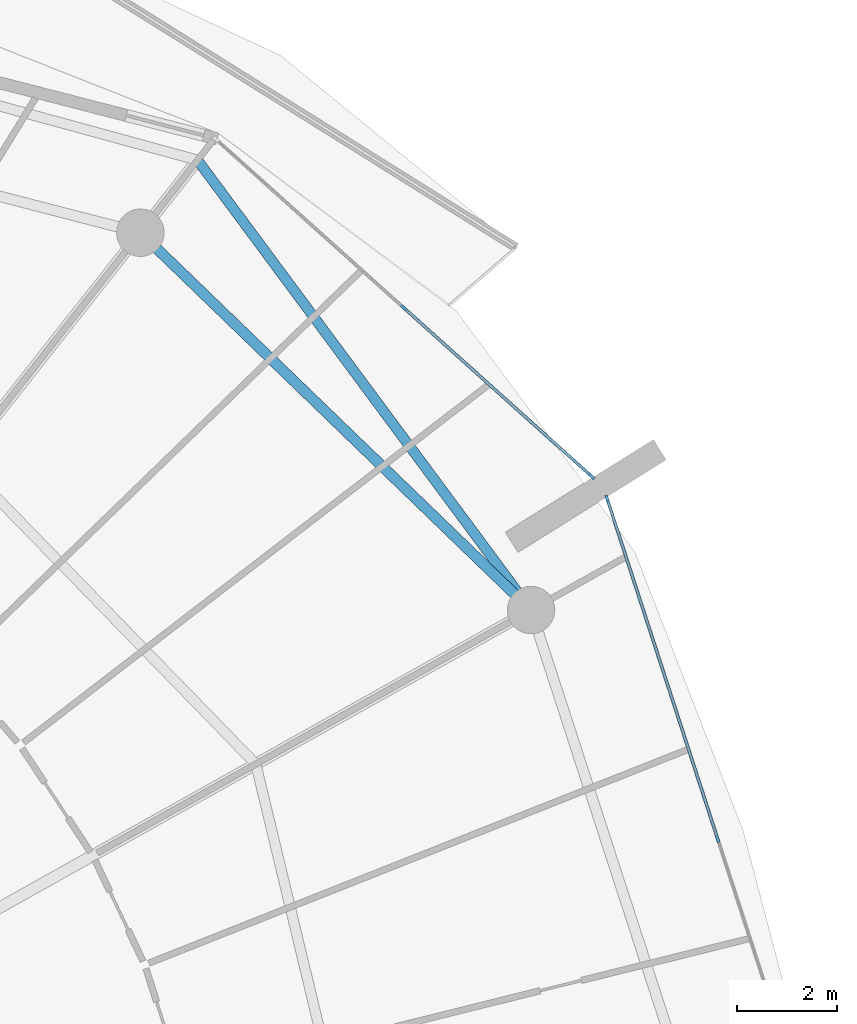
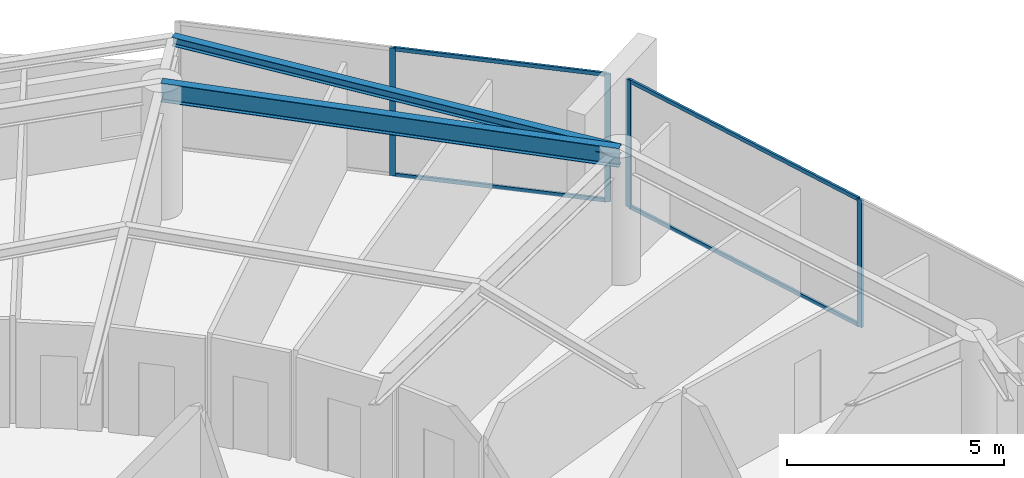
# One storey, part 14 of 29: 8 members, 2 beams, 2 elements without a shape of their own.
"""IFC4 building model written with IfcOpenShell, lengths in metres."""

import ifcopenshell
import ifcopenshell.guid

model = None  # the IFC model being written
_history = None  # IfcOwnerHistory: only IFC2X3 demands one
_inside = {}  # id of a spatial element -> (the spatial element, [elements in it])
_under = {}  # id of a project, library or spatial element -> (it, [spatial elements below it])
_declared = {}  # id of a project -> (the project, [libraries it declares])
_typed = {}  # id of a type object -> (the type object, [elements of that type])
_made_of = {}  # id of a material, layer set ... -> (it, [elements and type objects made of it])


def new_model(schema):
    """Start an empty IFC model of exactly this schema.

    Asked for "IFC4X3", IfcOpenShell would pick the latest addendum, in which some entities
    have other attributes; the version numbers below select the first issue.
    IFC2X3 requires an IfcOwnerHistory on every rooted entity: one is made here for all.
    """
    global model, _history
    if schema == "IFC4X3":
        model = ifcopenshell.file(schema_version=(4, 3, 0, 0))
    else:
        model = ifcopenshell.file(schema=schema)
    _inside.clear()
    _under.clear()
    _declared.clear()
    _typed.clear()
    _made_of.clear()
    _history = None
    if model.schema == "IFC2X3":
        org = make("IfcOrganization", Name="unknown")
        user = make(
            "IfcPersonAndOrganization",
            ThePerson=make("IfcPerson", FamilyName="unknown"),
            TheOrganization=org,
        )
        app = make(
            "IfcApplication",
            ApplicationDeveloper=org,
            Version="unknown",
            ApplicationFullName="unknown",
            ApplicationIdentifier="unknown",
        )
        _history = make(
            "IfcOwnerHistory",
            OwningUser=user,
            OwningApplication=app,
            ChangeAction="ADDED",
            CreationDate=0,
        )
    return model


def make(cls, **values):
    """One entity of the class cls with the attributes given. An attribute that is None is left unset."""
    return model.create_entity(
        cls, **{name: value for name, value in values.items() if value is not None}
    )


def rooted(cls, **values):
    """An entity with a GlobalId (a new one), such as an element, a storey or a relation."""
    return make(cls, GlobalId=ifcopenshell.guid.new(), OwnerHistory=_history, **values)


def si_unit(unit_type, name, prefix=None):
    """IfcSIUnit, for example si_unit("LENGTHUNIT", "METRE", prefix="MILLI")."""
    return make("IfcSIUnit", UnitType=unit_type, Prefix=prefix, Name=name)


def assignment(units):
    """IfcUnitAssignment: the units of a project."""
    return None if units is None else make("IfcUnitAssignment", Units=units)


def point(xyz):
    """IfcCartesianPoint."""
    return None if xyz is None else make("IfcCartesianPoint", Coordinates=xyz)


def direction(xyz):
    """IfcDirection."""
    return None if xyz is None else make("IfcDirection", DirectionRatios=xyz)


def frame(location, z_axis=None, x_axis=None):
    """IfcAxis2Placement3D, a coordinate frame: its origin and axes. An axis left out is left unset."""
    return make(
        "IfcAxis2Placement3D",
        Location=point(location),
        Axis=direction(z_axis),
        RefDirection=direction(x_axis),
    )


def frame_2d(location, x_axis=None):
    """IfcAxis2Placement2D, a coordinate frame in the plane: its origin and x axis."""
    return make(
        "IfcAxis2Placement2D", Location=point(location), RefDirection=direction(x_axis)
    )


def origin():
    """The frame at (0, 0, 0) with its axes left unset."""
    return frame((0.0, 0.0, 0.0))


def origin_2d():
    """The frame at (0, 0) in the plane with its x axis left unset."""
    return frame_2d((0.0, 0.0))


def place(relative_to, where):
    """IfcLocalPlacement: puts the frame where relative to a parent placement (None: the world)."""
    return make(
        "IfcLocalPlacement", PlacementRelTo=relative_to, RelativePlacement=where
    )


def context(
    kind, dimensions, precision=None, world=None, true_north=None, identifier=None
):
    """IfcGeometricRepresentationContext, for example the 3D "Model" context."""
    return make(
        "IfcGeometricRepresentationContext",
        ContextIdentifier=identifier,
        ContextType=kind,
        CoordinateSpaceDimension=dimensions,
        Precision=precision,
        WorldCoordinateSystem=world,
        TrueNorth=true_north,
    )


def subcontext(parent, identifier, kind, view, scale=None):
    """IfcGeometricRepresentationSubContext, for example "Body" below "Model"."""
    return make(
        "IfcGeometricRepresentationSubContext",
        ContextIdentifier=identifier,
        ContextType=kind,
        ParentContext=parent,
        TargetScale=scale,
        TargetView=view,
    )


def project(units=None, contexts=None):
    """IfcProject with its units and contexts."""
    return rooted(
        "IfcProject",
        Name="project",
        RepresentationContexts=contexts,
        UnitsInContext=assignment(units),
    )


def spatial(cls, under=None, at=None, **own):
    """A site, building, storey or space (cls), placed at a placement, below another one or the project."""
    s = rooted(cls, ObjectPlacement=at, **own)
    if under is not None:
        _under.setdefault(under.id(), (under, []))[1].append(s)
    return s


def profile(cls, at=None, kind="AREA", **sizes):
    """A parametric profile (cls). Its sizes go by their IFC names, for example OverallWidth=200.0."""
    return make(cls, ProfileType=kind, Position=at, **sizes)


def rectangle(**sizes):
    """IfcRectangleProfileDef."""
    return profile("IfcRectangleProfileDef", **sizes)


def i_section(**sizes):
    """IfcIShapeProfileDef."""
    return profile("IfcIShapeProfileDef", **sizes)


def extrude(swept, where, along, depth):
    """IfcExtrudedAreaSolid: the profile swept, set in the frame where, extruded along a direction by depth."""
    return make(
        "IfcExtrudedAreaSolid",
        SweptArea=swept,
        Position=where,
        ExtrudedDirection=direction(along),
        Depth=depth,
    )


def shape(context_of_items, identifier, shape_type, items):
    """IfcShapeRepresentation: the items that make up one representation, for example the "Body"."""
    return make(
        "IfcShapeRepresentation",
        ContextOfItems=context_of_items,
        RepresentationIdentifier=identifier,
        RepresentationType=shape_type,
        Items=items,
    )


def material(Name=None, Category=None):
    """IfcMaterial."""
    return make("IfcMaterial", Name=Name, Category=Category)


def layer(
    of_material, thickness, ventilated=None, Name=None, Category=None, Priority=None
):
    """IfcMaterialLayer: one layer of a wall or slab, of a material (None: an air gap)."""
    return make(
        "IfcMaterialLayer",
        Material=of_material,
        LayerThickness=thickness,
        IsVentilated=ventilated,
        Name=Name,
        Category=Category,
        Priority=Priority,
    )


def layer_set(layers, Name=None):
    """IfcMaterialLayerSet."""
    return make("IfcMaterialLayerSet", MaterialLayers=layers, LayerSetName=Name)


def material_profile(
    of_material, cross_section, Name=None, Category=None, Priority=None
):
    """IfcMaterialProfile: a cross section and its material."""
    return make(
        "IfcMaterialProfile",
        Name=Name,
        Material=of_material,
        Profile=cross_section,
        Priority=Priority,
        Category=Category,
    )


def profile_set(profiles, Name=None, composite=None):
    """IfcMaterialProfileSet."""
    return make(
        "IfcMaterialProfileSet",
        Name=Name,
        MaterialProfiles=profiles,
        CompositeProfile=composite,
    )


def made_of(thing, what):
    """Note that an element or type object is made of a material, layer set ...; save() writes the relation."""
    if what is not None:
        _made_of.setdefault(what.id(), (what, []))[1].append(thing)
    return thing


def type_object(cls, material=None, **own):
    """A type object (cls), such as IfcWallType, which elements share."""
    return made_of(rooted(cls, **own), material)


def element(
    cls,
    number,
    at=None,
    inside=None,
    cuts=None,
    type_object=None,
    material=None,
    context=None,
    identifier="Body",
    shape_type=None,
    held_by="IfcProductDefinitionShape",
    body=None,
    shapes=None,
    **own,
):
    """One element of the class cls, such as IfcWall. Its Tag is "e" and its number.

    at: its placement. inside: the storey or other place that contains it. cuts: it is an
    opening in that element (IfcRelVoidsElement). A single representation is given by context,
    identifier, shape_type and body (its items); several are given by shapes. held_by: the class
    of the entity that holds the representations. save() writes the other relations.
    """
    e = rooted(cls, Tag="e%d" % number, ObjectPlacement=at, **own)
    if body is not None:
        shapes = [shape(context, identifier, shape_type, body)]
    if shapes is not None:
        e.Representation = make(held_by, Representations=shapes)
    if inside is not None:
        _inside.setdefault(inside.id(), (inside, []))[1].append(e)
    if cuts is not None:
        rooted(
            "IfcRelVoidsElement", RelatingBuildingElement=cuts, RelatedOpeningElement=e
        )
    if type_object is not None:
        _typed.setdefault(type_object.id(), (type_object, []))[1].append(e)
    return made_of(e, material)


def aggregate(whole, parts):
    """IfcRelAggregates: a whole, such as a stair, and the parts it consists of."""
    return rooted("IfcRelAggregates", RelatingObject=whole, RelatedObjects=parts)


def save(model, path):
    """Write the relations noted so far, then the file.

    IfcRelAggregates (storeys below a building ...), IfcRelContainedInSpatialStructure (elements
    in a storey), IfcRelDefinesByType, IfcRelAssociatesMaterial and IfcRelDeclares: one each for
    every whole, place, type object, material and project.
    """
    for whole, parts in _under.values():
        aggregate(whole, parts)
    for where, things in _inside.values():
        rooted(
            "IfcRelContainedInSpatialStructure",
            RelatedElements=things,
            RelatingStructure=where,
        )
    for kind, things in _typed.values():
        rooted("IfcRelDefinesByType", RelatedObjects=things, RelatingType=kind)
    for what, things in _made_of.values():
        rooted("IfcRelAssociatesMaterial", RelatedObjects=things, RelatingMaterial=what)
    for by, libraries in _declared.values():
        rooted("IfcRelDeclares", RelatingContext=by, RelatedDefinitions=libraries)
    model.write(path)


model = new_model("IFC4")

# Units and contexts
model_context = context("Model", 3, precision=1e-05, world=origin(), true_north=direction((0.0, 1.0)))
body_context = subcontext(model_context, "Body", "Model", "MODEL_VIEW")
ifc_project = project(units=[si_unit("LENGTHUNIT", "METRE"), si_unit("AREAUNIT", "SQUARE_METRE"), si_unit("VOLUMEUNIT", "CUBIC_METRE"), si_unit("PLANEANGLEUNIT", "RADIAN"), si_unit("MASSUNIT", "GRAM", prefix="KILO")], contexts=[model_context])

# Site, building, storey
site_placement = place(None, origin())
site = spatial("IfcSite", under=ifc_project, at=site_placement, CompositionType="ELEMENT")
building_placement = place(site_placement, origin())
building = spatial("IfcBuilding", under=site, at=building_placement, Name="Kazma Halo Residences", CompositionType="ELEMENT")
storey_placement = place(building_placement, frame((0.0, 0.0, 252.10009765625)))
storey = spatial("IfcBuildingStorey", under=building, at=storey_placement, Name="L63", CompositionType="ELEMENT", Elevation=252.10009765625)

# Beams
ifc_material_1 = material(Name="Steel S355", Category="steel")
ifc_material_profile_1 = material_profile(ifc_material_1, i_section(OverallWidth=0.201904296875, OverallDepth=0.2470703125, WebThickness=0.00732421875, FlangeThickness=0.010986328125, FilletRadius=0.011962890625, at=origin_2d()), Name="W250x49.1")
ifc_profile_set_1 = profile_set([ifc_material_profile_1], Name="Steel S355")
beam_type_1 = type_object("IfcBeamType", Name="BM-BAL-CANT", PredefinedType="BEAM", material=ifc_profile_set_1)
beam_1_placement = place(storey_placement, frame((72.67041015625, 55.81591796875, 3.46630859375), z_axis=(-0.595556062515, 0.803313747176, 0.0), x_axis=(-0.803313747176, -0.595556062515, 0.0)))
element("IfcBeam", 1, at=beam_1_placement, inside=storey, type_object=beam_type_1, Name="L63 wave-balcony lead tie beam 01", PredefinedType="BEAM", context=body_context, shape_type="SweptSolid", body=[
    extrude(i_section(OverallWidth=0.201904296875, OverallDepth=0.2470703125, WebThickness=0.00732421875, FlangeThickness=0.010986328125, FilletRadius=0.011962890625, at=origin_2d()), origin(), (0.0, 0.0, 1.0), 11.213134765625),
])
ifc_material_profile_2 = material_profile(ifc_material_1, i_section(OverallWidth=0.208984375, OverallDepth=0.532958984375, WebThickness=0.01025390625, FlangeThickness=0.015625, FilletRadius=0.01611328125, at=origin_2d()), Name="W530x92")
ifc_profile_set_2 = profile_set([ifc_material_profile_2], Name="Steel S355")
beam_type_2 = type_object("IfcBeamType", Name="BM-SPN-W530", PredefinedType="BEAM", material=ifc_profile_set_2)
beam_2_placement = place(storey_placement, frame((72.67041015625, 55.81591796875, 3.323486328125), z_axis=(-0.719345757929, 0.694652201141, 0.0), x_axis=(-0.694652201141, -0.719345757929, 0.0)))
element("IfcBeam", 2, at=beam_2_placement, inside=storey, type_object=beam_type_2, Name="L63 perimeter ring beam 01", PredefinedType="BEAM", context=body_context, shape_type="SweptSolid", body=[
    extrude(i_section(OverallWidth=0.208984375, OverallDepth=0.532958984375, WebThickness=0.01025390625, FlangeThickness=0.015625, FilletRadius=0.01611328125, at=origin_2d()), origin(), (0.0, 0.0, 1.0), 10.87548828125),
])

# Curtain wall, members
ifc_material_2 = material(Name="Aluminium AW-6063 T6 and Triple-Silver Low-E Glass", Category="aluminium")
ifc_layer = layer(ifc_material_2, 0.139892578125)
ifc_layer_set = layer_set([ifc_layer], Name="Aluminium AW-6063 T6 and Triple-Silver Low-E Glass")
curtain_wall_type = type_object("IfcCurtainWallType", Name="CW-SYS-5", PredefinedType="NOTDEFINED", material=ifc_layer_set)
curtain_wall_1_placement = place(storey_placement, origin())
curtain_wall_1 = element("IfcCurtainWall", 3, at=curtain_wall_1_placement, inside=storey, type_object=curtain_wall_type, Name="L63 unitised curtain wall B01", PredefinedType="NOTDEFINED")
ifc_material_3 = material(Name="Aluminium AW-6063 T6", Category="aluminium")
ifc_material_profile_3 = material_profile(ifc_material_3, rectangle(XDim=0.06005859375, YDim=0.139892578125, at=origin_2d()), Name="CWM-60x140")
ifc_profile_set_3 = profile_set([ifc_material_profile_3], Name="Aluminium AW-6063 T6")
member_type_1 = type_object("IfcMemberType", Name="CW-SYS-5-MUL", PredefinedType="MULLION", material=ifc_profile_set_3)
member_1_placement = place(storey_placement, frame((73.88330078125, 58.491943359375, 0.0), z_axis=(0.0, 0.0, 1.0), x_axis=(-0.667804826958, -0.744336424671, 0.0)))
member_1 = element("IfcMember", 4, at=member_1_placement, type_object=member_type_1, Name="CWS-5 mullion 1", PredefinedType="MULLION", context=body_context, shape_type="SweptSolid", body=[
    extrude(rectangle(XDim=0.06005859375, YDim=0.139892578125, at=origin_2d()), origin(), (0.0, 0.0, 1.0), 3.58984375),
])
member_2_placement = place(storey_placement, frame((70.121826171875, 61.86669921875, 0.0), z_axis=(0.0, 0.0, 1.0), x_axis=(-0.667804826958, -0.744336424671, 0.0)))
member_2 = element("IfcMember", 5, at=member_2_placement, type_object=member_type_1, Name="CWS-5 mullion 2", PredefinedType="MULLION", context=body_context, shape_type="SweptSolid", body=[
    extrude(rectangle(XDim=0.06005859375, YDim=0.139892578125, at=origin_2d()), origin(), (0.0, 0.0, 1.0), 3.58984375),
])

curtain_wall_2_placement = place(storey_placement, origin())
curtain_wall_2 = element("IfcCurtainWall", 6, at=curtain_wall_2_placement, inside=storey, type_object=curtain_wall_type, Name="L63 unitised curtain wall B16", PredefinedType="NOTDEFINED")
member_3_placement = place(storey_placement, frame((76.40771484375, 51.230224609375, 0.0), z_axis=(0.0, 0.0, 1.0), x_axis=(-0.951058464359, -0.309010998786, 0.0)))
member_3 = element("IfcMember", 7, at=member_3_placement, type_object=member_type_1, Name="CWS-5 mullion 2", PredefinedType="MULLION", context=body_context, shape_type="SweptSolid", body=[
    extrude(rectangle(XDim=0.06005859375, YDim=0.139892578125, at=origin_2d()), origin(), (0.0, 0.0, 1.0), 3.58984375),
])
member_4_placement = place(storey_placement, frame((74.1923828125, 58.0478515625, 0.0), z_axis=(0.0, 0.0, 1.0), x_axis=(-0.951058464359, -0.309010998786, 0.0)))
member_4 = element("IfcMember", 8, at=member_4_placement, type_object=member_type_1, Name="CWS-5 mullion 3", PredefinedType="MULLION", context=body_context, shape_type="SweptSolid", body=[
    extrude(rectangle(XDim=0.06005859375, YDim=0.139892578125, at=origin_2d()), origin(), (0.0, 0.0, 1.0), 3.58984375),
])

# Member
ifc_material_profile_4 = material_profile(ifc_material_3, rectangle(XDim=0.06005859375, YDim=0.10498046875, at=origin_2d()), Name="CWT-60x105")
ifc_profile_set_4 = profile_set([ifc_material_profile_4], Name="Aluminium AW-6063 T6")
member_type_2 = type_object("IfcMemberType", Name="CW-SYS-5-TRN", PredefinedType="USERDEFINED", material=ifc_profile_set_4)
member_5_placement = place(storey_placement, frame((73.861083984375, 58.511962890625, 0.02978515625), z_axis=(-0.744328897483, 0.667813216679, 0.0), x_axis=(-0.667813216679, -0.744328897483, 0.0)))
member_5 = element("IfcMember", 9, at=member_5_placement, type_object=member_type_2, Name="CWS-5 transom 1.1", ObjectType="TRANSOM", PredefinedType="USERDEFINED", context=body_context, shape_type="SweptSolid", body=[
    extrude(rectangle(XDim=0.06005859375, YDim=0.10498046875, at=origin_2d()), origin(), (0.0, 0.0, 1.0), 4.993408203125),
])

member_6_placement = place(storey_placement, frame((73.861083984375, 58.511962890625, 3.559814453125), z_axis=(-0.744328897483, 0.667813216679, 0.0), x_axis=(-0.667813216679, -0.744328897483, 0.0)))
member_6 = element("IfcMember", 10, at=member_6_placement, type_object=member_type_2, Name="CWS-5 transom 1.2", ObjectType="TRANSOM", PredefinedType="USERDEFINED", context=body_context, shape_type="SweptSolid", body=[
    extrude(rectangle(XDim=0.06005859375, YDim=0.10498046875, at=origin_2d()), origin(), (0.0, 0.0, 1.0), 4.993408203125),
])

aggregate(curtain_wall_1, [member_1, member_2, member_5, member_6])

member_7_placement = place(storey_placement, frame((76.3984375, 51.2587890625, 0.02978515625), z_axis=(-0.309027052142, 0.95105324827, 0.0), x_axis=(-0.95105324827, -0.309027052142, 0.0)))
member_7 = element("IfcMember", 11, at=member_7_placement, type_object=member_type_2, Name="CWS-5 transom 2.1", ObjectType="TRANSOM", PredefinedType="USERDEFINED", context=body_context, shape_type="SweptSolid", body=[
    extrude(rectangle(XDim=0.06005859375, YDim=0.10498046875, at=origin_2d()), origin(), (0.0, 0.0, 1.0), 7.108642578125),
])

member_8_placement = place(storey_placement, frame((76.3984375, 51.2587890625, 3.559814453125), z_axis=(-0.309027052142, 0.95105324827, 0.0), x_axis=(-0.95105324827, -0.309027052142, 0.0)))
member_8 = element("IfcMember", 12, at=member_8_placement, type_object=member_type_2, Name="CWS-5 transom 2.2", ObjectType="TRANSOM", PredefinedType="USERDEFINED", context=body_context, shape_type="SweptSolid", body=[
    extrude(rectangle(XDim=0.06005859375, YDim=0.10498046875, at=origin_2d()), origin(), (0.0, 0.0, 1.0), 7.108642578125),
])

aggregate(curtain_wall_2, [member_3, member_4, member_7, member_8])

save(model, "model.ifc")
